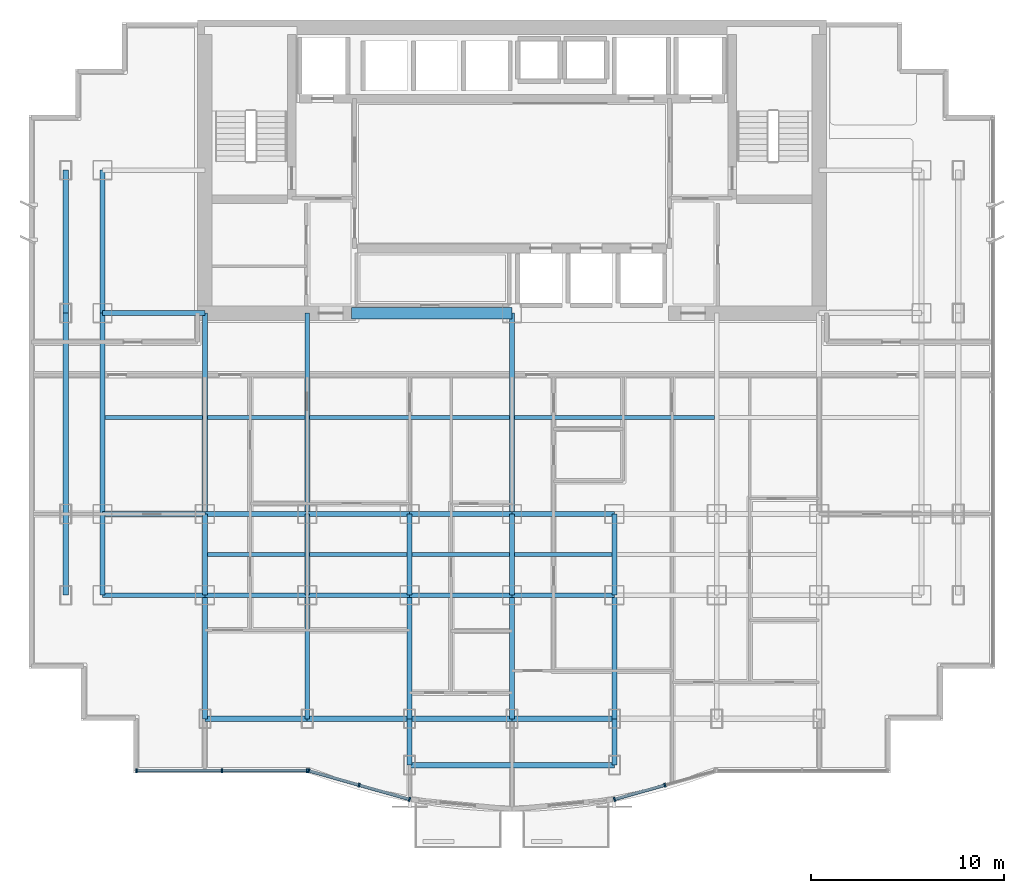
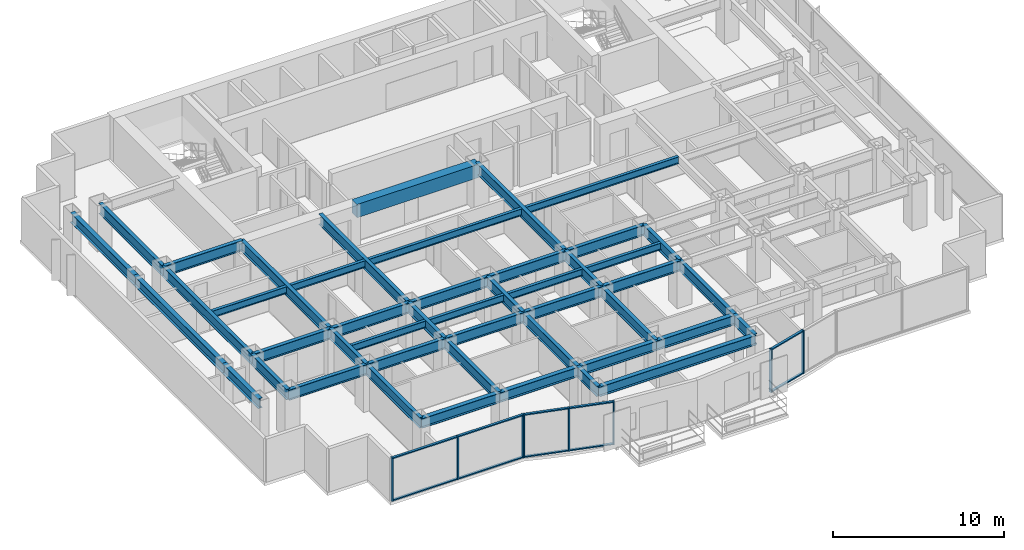
# One storey, part 2 of 12: 46 beams, 18 members, 3 elements without a shape of their own.
"""IFC4 building model written with IfcOpenShell, lengths in metres."""

from ifc_helpers import new_model, si_unit, direction, frame, origin, origin_2d, place, context, subcontext, project, spatial, rectangle, i_section, extrude, source, transform, mapped, material, layer, layer_set, material_profile, profile_set, type_object, element, aggregate, save


model = new_model("IFC4")

# Units and contexts
model_context = context("Model", 3, precision=1e-05, world=origin(), true_north=direction((0.0, 1.0)))
body_context = subcontext(model_context, "Body", "Model", "MODEL_VIEW")
ifc_project = project(units=[si_unit("LENGTHUNIT", "METRE"), si_unit("AREAUNIT", "SQUARE_METRE"), si_unit("VOLUMEUNIT", "CUBIC_METRE"), si_unit("PLANEANGLEUNIT", "RADIAN"), si_unit("MASSUNIT", "GRAM", prefix="KILO")], contexts=[model_context])

# Site, building, storey
site_placement = place(None, origin())
site = spatial("IfcSite", under=ifc_project, at=site_placement, CompositionType="ELEMENT")
building_placement = place(site_placement, origin())
building = spatial("IfcBuilding", under=site, at=building_placement, Name="Qianlan Lanfeng Residences", CompositionType="ELEMENT")
storey_placement = place(building_placement, frame((0.0, 0.0, 101.5)))
storey = spatial("IfcBuildingStorey", under=building, at=storey_placement, Name="L27", CompositionType="ELEMENT", Elevation=101.5)

# Beams
ifc_material_1 = material(Name="Steel SN490B", Category="steel")
ifc_material_profile_1 = material_profile(ifc_material_1, i_section(OverallWidth=0.25, OverallDepth=0.75, WebThickness=0.013916015625, FlangeThickness=0.02490234375, at=origin_2d()), Name="H 750x250x14x25")
ifc_profile_set_1 = profile_set([ifc_material_profile_1], Name="Steel SN490B")
beam_type_1 = type_object("IfcBeamType", Name="G-850", PredefinedType="BEAM", material=ifc_profile_set_1)
beam_1_placement = place(storey_placement, frame((5.300048828125, 10.60009765625, 2.715087890625), z_axis=(1.0, 0.0, 0.0), x_axis=(0.0, 1.0, 0.0)))
element("IfcBeam", 1, at=beam_1_placement, inside=storey, type_object=beam_type_1, Name="Structural beam G-850", PredefinedType="BEAM", context=body_context, shape_type="SweptSolid", body=[
    extrude(i_section(OverallWidth=0.25, OverallDepth=0.75, WebThickness=0.013916015625, FlangeThickness=0.02490234375, at=origin_2d()), origin(), (0.0, 0.0, 1.0), 5.300048828125),
])
beam_2_placement = place(storey_placement, frame((10.60009765625, 10.60009765625, 2.715087890625), z_axis=(1.0, 0.0, 0.0), x_axis=(0.0, 1.0, 0.0)))
element("IfcBeam", 2, at=beam_2_placement, inside=storey, type_object=beam_type_1, Name="Structural beam G-850", PredefinedType="BEAM", context=body_context, shape_type="SweptSolid", body=[
    extrude(i_section(OverallWidth=0.25, OverallDepth=0.75, WebThickness=0.013916015625, FlangeThickness=0.02490234375, at=origin_2d()), origin(), (0.0, 0.0, 1.0), 5.2998046875),
])
for number, where, z_axis, x_axis, name in (
    (3, (15.89990234375, 10.60009765625, 2.715087890625), (1.0, 0.0, 0.0), (0.0, 1.0, 0.0), "Structural beam G-850"),
    (4, (21.199951171875, 10.60009765625, 2.715087890625), (1.0, 0.0, 0.0), (0.0, 1.0, 0.0), "Structural beam G-850"),
    (5, (26.5, 10.60009765625, 2.715087890625), (1.0, 0.0, 0.0), (0.0, 1.0, 0.0), "Structural beam G-850"),
    (6, (5.300048828125, 14.800048828125, 2.715087890625), (1.0, 0.0, 0.0), (0.0, 1.0, 0.0), "Structural beam G-850"),
):
    element("IfcBeam", number, at=place(storey_placement, frame(where, z_axis=z_axis, x_axis=x_axis)), inside=storey, type_object=beam_type_1, Name=name, PredefinedType="BEAM", context=body_context, shape_type="SweptSolid", body=[
        extrude(i_section(OverallWidth=0.25, OverallDepth=0.75, WebThickness=0.013916015625, FlangeThickness=0.02490234375, at=origin_2d()), origin(), (0.0, 0.0, 1.0), 5.300048828125),
    ])
beam_3_placement = place(storey_placement, frame((10.60009765625, 14.800048828125, 2.715087890625), z_axis=(1.0, 0.0, 0.0), x_axis=(0.0, 1.0, 0.0)))
element("IfcBeam", 7, at=beam_3_placement, inside=storey, type_object=beam_type_1, Name="Structural beam G-850", PredefinedType="BEAM", context=body_context, shape_type="SweptSolid", body=[
    extrude(i_section(OverallWidth=0.25, OverallDepth=0.75, WebThickness=0.013916015625, FlangeThickness=0.02490234375, at=origin_2d()), origin(), (0.0, 0.0, 1.0), 5.2998046875),
])
for number, where, z_axis, x_axis, name in (
    (8, (15.89990234375, 14.800048828125, 2.715087890625), (1.0, 0.0, 0.0), (0.0, 1.0, 0.0), "Structural beam G-850"),
    (9, (21.199951171875, 14.800048828125, 2.715087890625), (1.0, 0.0, 0.0), (0.0, 1.0, 0.0), "Structural beam G-850"),
    (10, (26.5, 14.800048828125, 2.715087890625), (1.0, 0.0, 0.0), (0.0, 1.0, 0.0), "Structural beam G-850"),
    (11, (5.300048828125, 25.199951171875, 2.715087890625), (1.0, 0.0, 0.0), (0.0, 1.0, 0.0), "Structural beam G-850"),
):
    element("IfcBeam", number, at=place(storey_placement, frame(where, z_axis=z_axis, x_axis=x_axis)), inside=storey, type_object=beam_type_1, Name=name, PredefinedType="BEAM", context=body_context, shape_type="SweptSolid", body=[
        extrude(i_section(OverallWidth=0.25, OverallDepth=0.75, WebThickness=0.013916015625, FlangeThickness=0.02490234375, at=origin_2d()), origin(), (0.0, 0.0, 1.0), 5.300048828125),
    ])
beam_4_placement = place(storey_placement, frame((5.300048828125, 10.60009765625, 2.715087890625), z_axis=(0.0, 1.0, 0.0), x_axis=(-1.0, 0.0, 0.0)))
element("IfcBeam", 12, at=beam_4_placement, inside=storey, type_object=beam_type_1, Name="Structural beam G-850", PredefinedType="BEAM", context=body_context, shape_type="SweptSolid", body=[
    extrude(i_section(OverallWidth=0.25, OverallDepth=0.75, WebThickness=0.013916015625, FlangeThickness=0.02490234375, at=origin_2d()), origin(), (0.0, 0.0, 1.0), 4.199951171875),
])
beam_5_placement = place(storey_placement, frame((5.300048828125, 14.800048828125, 2.715087890625), z_axis=(0.0, 1.0, 0.0), x_axis=(-1.0, 0.0, 0.0)))
element("IfcBeam", 13, at=beam_5_placement, inside=storey, type_object=beam_type_1, Name="Structural beam G-850", PredefinedType="BEAM", context=body_context, shape_type="SweptSolid", body=[
    extrude(i_section(OverallWidth=0.25, OverallDepth=0.75, WebThickness=0.013916015625, FlangeThickness=0.02490234375, at=origin_2d()), origin(), (0.0, 0.0, 1.0), 10.39990234375),
])
beam_6_placement = place(storey_placement, frame((5.300048828125, 25.199951171875, 2.715087890625), z_axis=(0.0, 1.0, 0.0), x_axis=(-1.0, 0.0, 0.0)))
element("IfcBeam", 14, at=beam_6_placement, inside=storey, type_object=beam_type_1, Name="Structural beam G-850", PredefinedType="BEAM", context=body_context, shape_type="SweptSolid", body=[
    extrude(i_section(OverallWidth=0.25, OverallDepth=0.75, WebThickness=0.013916015625, FlangeThickness=0.02490234375, at=origin_2d()), origin(), (0.0, 0.0, 1.0), 7.400146484375),
])
beam_7_placement = place(storey_placement, frame((10.60009765625, 4.199951171875, 2.715087890625), z_axis=(0.0, 1.0, 0.0), x_axis=(-1.0, 0.0, 0.0)))
element("IfcBeam", 15, at=beam_7_placement, inside=storey, type_object=beam_type_1, Name="Structural beam G-850", PredefinedType="BEAM", context=body_context, shape_type="SweptSolid", body=[
    extrude(i_section(OverallWidth=0.25, OverallDepth=0.75, WebThickness=0.013916015625, FlangeThickness=0.02490234375, at=origin_2d()), origin(), (0.0, 0.0, 1.0), 6.400146484375),
])
beam_8_placement = place(storey_placement, frame((10.60009765625, 10.60009765625, 2.715087890625), z_axis=(0.0, 1.0, 0.0), x_axis=(-1.0, 0.0, 0.0)))
element("IfcBeam", 16, at=beam_8_placement, inside=storey, type_object=beam_type_1, Name="Structural beam G-850", PredefinedType="BEAM", context=body_context, shape_type="SweptSolid", body=[
    extrude(i_section(OverallWidth=0.25, OverallDepth=0.75, WebThickness=0.013916015625, FlangeThickness=0.02490234375, at=origin_2d()), origin(), (0.0, 0.0, 1.0), 4.199951171875),
])
beam_9_placement = place(storey_placement, frame((10.60009765625, 14.800048828125, 2.715087890625), z_axis=(0.0, 1.0, 0.0), x_axis=(-1.0, 0.0, 0.0)))
element("IfcBeam", 17, at=beam_9_placement, inside=storey, type_object=beam_type_1, Name="Structural beam G-850", PredefinedType="BEAM", context=body_context, shape_type="SweptSolid", body=[
    extrude(i_section(OverallWidth=0.25, OverallDepth=0.75, WebThickness=0.013916015625, FlangeThickness=0.02490234375, at=origin_2d()), origin(), (0.0, 0.0, 1.0), 10.39990234375),
])
beam_10_placement = place(storey_placement, frame((15.89990234375, 4.199951171875, 2.715087890625), z_axis=(0.0, 1.0, 0.0), x_axis=(-1.0, 0.0, 0.0)))
element("IfcBeam", 18, at=beam_10_placement, inside=storey, type_object=beam_type_1, Name="Structural beam G-850", PredefinedType="BEAM", context=body_context, shape_type="SweptSolid", body=[
    extrude(i_section(OverallWidth=0.25, OverallDepth=0.75, WebThickness=0.013916015625, FlangeThickness=0.02490234375, at=origin_2d()), origin(), (0.0, 0.0, 1.0), 6.400146484375),
])
beam_11_placement = place(storey_placement, frame((15.89990234375, 10.60009765625, 2.715087890625), z_axis=(0.0, 1.0, 0.0), x_axis=(-1.0, 0.0, 0.0)))
element("IfcBeam", 19, at=beam_11_placement, inside=storey, type_object=beam_type_1, Name="Structural beam G-850", PredefinedType="BEAM", context=body_context, shape_type="SweptSolid", body=[
    extrude(i_section(OverallWidth=0.25, OverallDepth=0.75, WebThickness=0.013916015625, FlangeThickness=0.02490234375, at=origin_2d()), origin(), (0.0, 0.0, 1.0), 4.199951171875),
])
beam_12_placement = place(storey_placement, frame((15.89990234375, 14.800048828125, 2.715087890625), z_axis=(0.0, 1.0, 0.0), x_axis=(-1.0, 0.0, 0.0)))
element("IfcBeam", 20, at=beam_12_placement, inside=storey, type_object=beam_type_1, Name="Structural beam G-850", PredefinedType="BEAM", context=body_context, shape_type="SweptSolid", body=[
    extrude(i_section(OverallWidth=0.25, OverallDepth=0.75, WebThickness=0.013916015625, FlangeThickness=0.02490234375, at=origin_2d()), origin(), (0.0, 0.0, 1.0), 10.39990234375),
])
beam_13_placement = place(storey_placement, frame((21.199951171875, 1.800048828125, 2.715087890625), z_axis=(0.0, 1.0, 0.0), x_axis=(-1.0, 0.0, 0.0)))
element("IfcBeam", 21, at=beam_13_placement, inside=storey, type_object=beam_type_1, Name="Structural beam G-850", PredefinedType="BEAM", context=body_context, shape_type="SweptSolid", body=[
    extrude(i_section(OverallWidth=0.25, OverallDepth=0.75, WebThickness=0.013916015625, FlangeThickness=0.02490234375, at=origin_2d()), origin(), (0.0, 0.0, 1.0), 2.39990234375),
])
beam_14_placement = place(storey_placement, frame((21.199951171875, 4.199951171875, 2.715087890625), z_axis=(0.0, 1.0, 0.0), x_axis=(-1.0, 0.0, 0.0)))
element("IfcBeam", 22, at=beam_14_placement, inside=storey, type_object=beam_type_1, Name="Structural beam G-850", PredefinedType="BEAM", context=body_context, shape_type="SweptSolid", body=[
    extrude(i_section(OverallWidth=0.25, OverallDepth=0.75, WebThickness=0.013916015625, FlangeThickness=0.02490234375, at=origin_2d()), origin(), (0.0, 0.0, 1.0), 6.400146484375),
])
beam_15_placement = place(storey_placement, frame((21.199951171875, 10.60009765625, 2.715087890625), z_axis=(0.0, 1.0, 0.0), x_axis=(-1.0, 0.0, 0.0)))
element("IfcBeam", 23, at=beam_15_placement, inside=storey, type_object=beam_type_1, Name="Structural beam G-850", PredefinedType="BEAM", context=body_context, shape_type="SweptSolid", body=[
    extrude(i_section(OverallWidth=0.25, OverallDepth=0.75, WebThickness=0.013916015625, FlangeThickness=0.02490234375, at=origin_2d()), origin(), (0.0, 0.0, 1.0), 4.199951171875),
])
beam_16_placement = place(storey_placement, frame((26.5, 4.199951171875, 2.715087890625), z_axis=(0.0, 1.0, 0.0), x_axis=(-1.0, 0.0, 0.0)))
element("IfcBeam", 24, at=beam_16_placement, inside=storey, type_object=beam_type_1, Name="Structural beam G-850", PredefinedType="BEAM", context=body_context, shape_type="SweptSolid", body=[
    extrude(i_section(OverallWidth=0.25, OverallDepth=0.75, WebThickness=0.013916015625, FlangeThickness=0.02490234375, at=origin_2d()), origin(), (0.0, 0.0, 1.0), 6.400146484375),
])
beam_17_placement = place(storey_placement, frame((26.5, 10.60009765625, 2.715087890625), z_axis=(0.0, 1.0, 0.0), x_axis=(-1.0, 0.0, 0.0)))
element("IfcBeam", 25, at=beam_17_placement, inside=storey, type_object=beam_type_1, Name="Structural beam G-850", PredefinedType="BEAM", context=body_context, shape_type="SweptSolid", body=[
    extrude(i_section(OverallWidth=0.25, OverallDepth=0.75, WebThickness=0.013916015625, FlangeThickness=0.02490234375, at=origin_2d()), origin(), (0.0, 0.0, 1.0), 4.199951171875),
])
beam_18_placement = place(storey_placement, frame((26.5, 14.800048828125, 2.715087890625), z_axis=(0.0, 1.0, 0.0), x_axis=(-1.0, 0.0, 0.0)))
element("IfcBeam", 26, at=beam_18_placement, inside=storey, type_object=beam_type_1, Name="Structural beam G-850", PredefinedType="BEAM", context=body_context, shape_type="SweptSolid", body=[
    extrude(i_section(OverallWidth=0.25, OverallDepth=0.75, WebThickness=0.013916015625, FlangeThickness=0.02490234375, at=origin_2d()), origin(), (0.0, 0.0, 1.0), 10.39990234375),
])
beam_19_placement = place(storey_placement, frame((31.800048828125, 1.800048828125, 2.715087890625), z_axis=(0.0, 1.0, 0.0), x_axis=(-1.0, 0.0, 0.0)))
element("IfcBeam", 27, at=beam_19_placement, inside=storey, type_object=beam_type_1, Name="Structural beam G-850", PredefinedType="BEAM", context=body_context, shape_type="SweptSolid", body=[
    extrude(i_section(OverallWidth=0.25, OverallDepth=0.75, WebThickness=0.013916015625, FlangeThickness=0.02490234375, at=origin_2d()), origin(), (0.0, 0.0, 1.0), 2.39990234375),
])
beam_20_placement = place(storey_placement, frame((31.800048828125, 4.199951171875, 2.715087890625), z_axis=(0.0, 1.0, 0.0), x_axis=(-1.0, 0.0, 0.0)))
element("IfcBeam", 28, at=beam_20_placement, inside=storey, type_object=beam_type_1, Name="Structural beam G-850", PredefinedType="BEAM", context=body_context, shape_type="SweptSolid", body=[
    extrude(i_section(OverallWidth=0.25, OverallDepth=0.75, WebThickness=0.013916015625, FlangeThickness=0.02490234375, at=origin_2d()), origin(), (0.0, 0.0, 1.0), 6.400146484375),
])
beam_21_placement = place(storey_placement, frame((31.800048828125, 10.60009765625, 2.715087890625), z_axis=(0.0, 1.0, 0.0), x_axis=(-1.0, 0.0, 0.0)))
element("IfcBeam", 29, at=beam_21_placement, inside=storey, type_object=beam_type_1, Name="Structural beam G-850", PredefinedType="BEAM", context=body_context, shape_type="SweptSolid", body=[
    extrude(i_section(OverallWidth=0.25, OverallDepth=0.75, WebThickness=0.013916015625, FlangeThickness=0.02490234375, at=origin_2d()), origin(), (0.0, 0.0, 1.0), 4.199951171875),
])
ifc_material_profile_2 = material_profile(ifc_material_1, i_section(OverallWidth=0.199951171875, OverallDepth=0.5, WebThickness=0.010009765625, FlangeThickness=0.01611328125, at=origin_2d()), Name="H 500x200x10x16")
ifc_profile_set_2 = profile_set([ifc_material_profile_2], Name="Steel SN490B")
beam_type_2 = type_object("IfcBeamType", Name="J-500", PredefinedType="JOIST", material=ifc_profile_set_2)
beam_22_placement = place(storey_placement, frame((10.72509765625, 12.699951171875, 2.840087890625), z_axis=(1.0, 0.0, 0.0), x_axis=(0.0, 1.0, 0.0)))
element("IfcBeam", 30, at=beam_22_placement, inside=storey, type_object=beam_type_2, Name="Structural beam J-500", PredefinedType="JOIST", context=body_context, shape_type="SweptSolid", body=[
    extrude(i_section(OverallWidth=0.199951171875, OverallDepth=0.5, WebThickness=0.010009765625, FlangeThickness=0.01611328125, at=origin_2d()), origin(), (0.0, 0.0, 1.0), 5.0498046875),
])
for number, where, z_axis, x_axis, name in (
    (31, (16.02490234375, 12.699951171875, 2.840087890625), (1.0, 0.0, 0.0), (0.0, 1.0, 0.0), "Structural beam J-500"),
    (32, (21.324951171875, 12.699951171875, 2.840087890625), (1.0, 0.0, 0.0), (0.0, 1.0, 0.0), "Structural beam J-500"),
    (33, (26.625, 12.699951171875, 2.840087890625), (1.0, 0.0, 0.0), (0.0, 1.0, 0.0), "Structural beam J-500"),
    (34, (5.425048828125, 19.800048828125, 2.840087890625), (1.0, 0.0, 0.0), (0.0, 1.0, 0.0), "Structural beam J-500"),
):
    element("IfcBeam", number, at=place(storey_placement, frame(where, z_axis=z_axis, x_axis=x_axis)), inside=storey, type_object=beam_type_2, Name=name, PredefinedType="JOIST", context=body_context, shape_type="SweptSolid", body=[
        extrude(i_section(OverallWidth=0.199951171875, OverallDepth=0.5, WebThickness=0.010009765625, FlangeThickness=0.01611328125, at=origin_2d()), origin(), (0.0, 0.0, 1.0), 5.050048828125),
    ])
beam_23_placement = place(storey_placement, frame((10.72509765625, 19.800048828125, 2.840087890625), z_axis=(1.0, 0.0, 0.0), x_axis=(0.0, 1.0, 0.0)))
element("IfcBeam", 35, at=beam_23_placement, inside=storey, type_object=beam_type_2, Name="Structural beam J-500", PredefinedType="JOIST", context=body_context, shape_type="SweptSolid", body=[
    extrude(i_section(OverallWidth=0.199951171875, OverallDepth=0.5, WebThickness=0.010009765625, FlangeThickness=0.01611328125, at=origin_2d()), origin(), (0.0, 0.0, 1.0), 5.0498046875),
])
for number, where, z_axis, x_axis, name in (
    (36, (16.02490234375, 19.800048828125, 2.840087890625), (1.0, 0.0, 0.0), (0.0, 1.0, 0.0), "Structural beam J-500"),
    (37, (26.625, 19.800048828125, 2.840087890625), (1.0, 0.0, 0.0), (0.0, 1.0, 0.0), "Structural beam J-500"),
):
    element("IfcBeam", number, at=place(storey_placement, frame(where, z_axis=z_axis, x_axis=x_axis)), inside=storey, type_object=beam_type_2, Name=name, PredefinedType="JOIST", context=body_context, shape_type="SweptSolid", body=[
        extrude(i_section(OverallWidth=0.199951171875, OverallDepth=0.5, WebThickness=0.010009765625, FlangeThickness=0.01611328125, at=origin_2d()), origin(), (0.0, 0.0, 1.0), 10.35009765625),
    ])
ifc_material_2 = material(Name="Concrete C60", Category="concrete")
ifc_material_profile_3 = material_profile(ifc_material_2, rectangle(XDim=0.60009765625, YDim=0.949951171875, at=origin_2d()), Name="RC 600x950")
ifc_profile_set_3 = profile_set([ifc_material_profile_3], Name="Concrete C60")
beam_type_3 = type_object("IfcBeamType", Name="LB-RC900", PredefinedType="BEAM", material=ifc_profile_set_3)
beam_24_placement = place(storey_placement, frame((18.199951171875, 25.199951171875, 2.614990234375), z_axis=(1.0, 0.0, 0.0), x_axis=(0.0, 1.0, 0.0)))
element("IfcBeam", 38, at=beam_24_placement, inside=storey, type_object=beam_type_3, Name="L27 Core Coupling Beam W", PredefinedType="BEAM", context=body_context, shape_type="SweptSolid", body=[
    extrude(rectangle(XDim=0.60009765625, YDim=0.949951171875, at=origin_2d()), origin(), (0.0, 0.0, 1.0), 8.300048828125),
])
ifc_material_profile_4 = material_profile(ifc_material_1, i_section(OverallWidth=0.300048828125, OverallDepth=0.699951171875, WebThickness=0.012939453125, FlangeThickness=0.02392578125, at=origin_2d()), Name="H 700x300x13x24")
ifc_profile_set_4 = profile_set([ifc_material_profile_4], Name="Steel SN490B")
beam_type_4 = type_object("IfcBeamType", Name="SG-750", PredefinedType="SPANDREL", material=ifc_profile_set_4)
beam_25_placement = place(storey_placement, frame((21.199951171875, 1.800048828125, 2.739990234375), z_axis=(1.0, 0.0, 0.0), x_axis=(0.0, 1.0, 0.0)))
element("IfcBeam", 39, at=beam_25_placement, inside=storey, type_object=beam_type_4, Name="Structural beam SG-750", PredefinedType="SPANDREL", context=body_context, shape_type="SweptSolid", body=[
    extrude(i_section(OverallWidth=0.300048828125, OverallDepth=0.699951171875, WebThickness=0.012939453125, FlangeThickness=0.02392578125, at=origin_2d()), origin(), (0.0, 0.0, 1.0), 10.60009765625),
])
beam_26_placement = place(storey_placement, frame((10.60009765625, 4.199951171875, 2.739990234375), z_axis=(1.0, 0.0, 0.0), x_axis=(0.0, 1.0, 0.0)))
element("IfcBeam", 40, at=beam_26_placement, inside=storey, type_object=beam_type_4, Name="Structural beam SG-750", PredefinedType="SPANDREL", context=body_context, shape_type="SweptSolid", body=[
    extrude(i_section(OverallWidth=0.300048828125, OverallDepth=0.699951171875, WebThickness=0.012939453125, FlangeThickness=0.02392578125, at=origin_2d()), origin(), (0.0, 0.0, 1.0), 5.2998046875),
])
for number, where, z_axis, x_axis, name in (
    (41, (15.89990234375, 4.199951171875, 2.739990234375), (1.0, 0.0, 0.0), (0.0, 1.0, 0.0), "Structural beam SG-750"),
    (42, (21.199951171875, 4.199951171875, 2.739990234375), (1.0, 0.0, 0.0), (0.0, 1.0, 0.0), "Structural beam SG-750"),
    (43, (26.5, 4.199951171875, 2.739990234375), (1.0, 0.0, 0.0), (0.0, 1.0, 0.0), "Structural beam SG-750"),
):
    element("IfcBeam", number, at=place(storey_placement, frame(where, z_axis=z_axis, x_axis=x_axis)), inside=storey, type_object=beam_type_4, Name=name, PredefinedType="SPANDREL", context=body_context, shape_type="SweptSolid", body=[
        extrude(i_section(OverallWidth=0.300048828125, OverallDepth=0.699951171875, WebThickness=0.012939453125, FlangeThickness=0.02392578125, at=origin_2d()), origin(), (0.0, 0.0, 1.0), 5.300048828125),
    ])
beam_27_placement = place(storey_placement, frame((3.39990234375, 10.60009765625, 2.739990234375), z_axis=(0.0, 1.0, 0.0), x_axis=(-1.0, 0.0, 0.0)))
element("IfcBeam", 44, at=beam_27_placement, inside=storey, type_object=beam_type_4, Name="Structural beam SG-750", PredefinedType="SPANDREL", context=body_context, shape_type="SweptSolid", body=[
    extrude(i_section(OverallWidth=0.300048828125, OverallDepth=0.699951171875, WebThickness=0.012939453125, FlangeThickness=0.02392578125, at=origin_2d()), origin(), (0.0, 0.0, 1.0), 4.199951171875),
])
beam_28_placement = place(storey_placement, frame((3.39990234375, 14.800048828125, 2.739990234375), z_axis=(0.0, 1.0, 0.0), x_axis=(-1.0, 0.0, 0.0)))
element("IfcBeam", 45, at=beam_28_placement, inside=storey, type_object=beam_type_4, Name="Structural beam SG-750", PredefinedType="SPANDREL", context=body_context, shape_type="SweptSolid", body=[
    extrude(i_section(OverallWidth=0.300048828125, OverallDepth=0.699951171875, WebThickness=0.012939453125, FlangeThickness=0.02392578125, at=origin_2d()), origin(), (0.0, 0.0, 1.0), 10.39990234375),
])
beam_29_placement = place(storey_placement, frame((3.39990234375, 25.199951171875, 2.739990234375), z_axis=(0.0, 1.0, 0.0), x_axis=(-1.0, 0.0, 0.0)))
element("IfcBeam", 46, at=beam_29_placement, inside=storey, type_object=beam_type_4, Name="Structural beam SG-750", PredefinedType="SPANDREL", context=body_context, shape_type="SweptSolid", body=[
    extrude(i_section(OverallWidth=0.300048828125, OverallDepth=0.699951171875, WebThickness=0.012939453125, FlangeThickness=0.02392578125, at=origin_2d()), origin(), (0.0, 0.0, 1.0), 7.400146484375),
])

# Curtain wall, members
ifc_material_3 = material(Name="Anodised Bronze Aluminium 6063-T6", Category="aluminium")
ifc_layer = layer(ifc_material_3, 0.219970703125)
ifc_layer_set = layer_set([ifc_layer], Name="Anodised Bronze Aluminium 6063-T6")
curtain_wall_type = type_object("IfcCurtainWallType", Name="CW-03", PredefinedType="NOTDEFINED", material=ifc_layer_set)
curtain_wall_1_placement = place(storey_placement, origin())
curtain_wall_1 = element("IfcCurtainWall", 47, at=curtain_wall_1_placement, inside=storey, type_object=curtain_wall_type, Name="L27 Unitised Curtain Wall CWR-L27-01 (CW-03)", PredefinedType="NOTDEFINED")
ifc_material_profile_5 = material_profile(ifc_material_3, rectangle(XDim=0.080078125, YDim=0.159912109375, at=origin_2d()), Name="ALU TRANSOM 80x160")
ifc_profile_set_5 = profile_set([ifc_material_profile_5], Name="Anodised Bronze Aluminium 6063-T6")
member_type_1 = type_object("IfcMemberType", Name="CWT-180", PredefinedType="USERDEFINED", material=ifc_profile_set_5)
shared_shape_1 = source(origin(), body_context, "Body", "SweptSolid", [
    extrude(rectangle(XDim=0.080078125, YDim=0.159912109375, at=origin_2d()), origin(), (0.0, 0.0, 1.0), 4.34033203125),
])
member_1_placement = place(storey_placement, frame((7.10009765625, 1.52001953125, 0.0400390625), z_axis=(1.0, 0.0, 0.0), x_axis=(0.0, 0.0, 1.0)))
member_1 = element("IfcMember", 48, at=member_1_placement, type_object=member_type_1, Name="CWR-L27-01 Transom 1-BOT", ObjectType="TRANSOM", PredefinedType="USERDEFINED", context=body_context, shape_type="MappedRepresentation", body=[
    mapped(shared_shape_1, transform((0.0, 0.0, 0.0), scale=1.0)),
])
member_2_placement = place(storey_placement, frame((7.10009765625, 1.52001953125, 3.050048828125), z_axis=(1.0, 0.0, 0.0), x_axis=(0.0, 0.0, 1.0)))
member_2 = element("IfcMember", 49, at=member_2_placement, type_object=member_type_1, Name="CWR-L27-01 Transom 1-TOP", ObjectType="TRANSOM", PredefinedType="USERDEFINED", context=body_context, shape_type="MappedRepresentation", body=[
    mapped(shared_shape_1, transform((0.0, 0.0, 0.0), scale=1.0)),
])
shared_shape_2 = source(origin(), body_context, "Body", "SweptSolid", [
    extrude(rectangle(XDim=0.080078125, YDim=0.159912109375, at=origin_2d()), origin(), (0.0, 0.0, 1.0), 4.340576171875),
])
member_3_placement = place(storey_placement, frame((11.5205078125, 1.52001953125, 0.0400390625), z_axis=(1.0, 0.0, 0.0), x_axis=(0.0, 0.0, 1.0)))
member_3 = element("IfcMember", 50, at=member_3_placement, type_object=member_type_1, Name="CWR-L27-01 Transom 2-BOT", ObjectType="TRANSOM", PredefinedType="USERDEFINED", context=body_context, shape_type="MappedRepresentation", body=[
    mapped(shared_shape_2, transform((0.0, 0.0, 0.0), scale=1.0)),
])
member_4_placement = place(storey_placement, frame((11.5205078125, 1.52001953125, 3.050048828125), z_axis=(1.0, 0.0, 0.0), x_axis=(0.0, 0.0, 1.0)))
member_4 = element("IfcMember", 51, at=member_4_placement, type_object=member_type_1, Name="CWR-L27-01 Transom 2-TOP", ObjectType="TRANSOM", PredefinedType="USERDEFINED", context=body_context, shape_type="MappedRepresentation", body=[
    mapped(shared_shape_2, transform((0.0, 0.0, 0.0), scale=1.0)),
])

curtain_wall_2_placement = place(storey_placement, origin())
curtain_wall_2 = element("IfcCurtainWall", 52, at=curtain_wall_2_placement, inside=storey, type_object=curtain_wall_type, Name="L27 Unitised Curtain Wall CWR-L27-02 (CW-03)", PredefinedType="NOTDEFINED")
shared_shape_3 = source(origin(), body_context, "Body", "SweptSolid", [
    extrude(rectangle(XDim=0.080078125, YDim=0.159912109375, at=origin_2d()), origin(), (0.0, 0.0, 1.0), 2.630126953125),
])
member_5_placement = place(storey_placement, frame((16.01806640625, 1.498291015625, 0.0400390625), z_axis=(0.961960587005, -0.273188266675, 0.0), x_axis=(0.0, 0.0, 1.0)))
member_5 = element("IfcMember", 53, at=member_5_placement, type_object=member_type_1, Name="CWR-L27-02 Transom 1-BOT", ObjectType="TRANSOM", PredefinedType="USERDEFINED", context=body_context, shape_type="MappedRepresentation", body=[
    mapped(shared_shape_3, transform((0.0, 0.0, 0.0), scale=1.0)),
])
member_6_placement = place(storey_placement, frame((16.01806640625, 1.498291015625, 3.050048828125), z_axis=(0.961960587005, -0.273188266675, 0.0), x_axis=(0.0, 0.0, 1.0)))
member_6 = element("IfcMember", 54, at=member_6_placement, type_object=member_type_1, Name="CWR-L27-02 Transom 1-TOP", ObjectType="TRANSOM", PredefinedType="USERDEFINED", context=body_context, shape_type="MappedRepresentation", body=[
    mapped(shared_shape_3, transform((0.0, 0.0, 0.0), scale=1.0)),
])
member_7_placement = place(storey_placement, frame((18.625, 0.758056640625, 0.0400390625), z_axis=(0.961984978242, -0.273102364758, 0.0), x_axis=(0.0, 0.0, 1.0)))
member_7 = element("IfcMember", 55, at=member_7_placement, type_object=member_type_1, Name="CWR-L27-02 Transom 2-BOT", ObjectType="TRANSOM", PredefinedType="USERDEFINED", context=body_context, shape_type="MappedRepresentation", body=[
    mapped(shared_shape_3, transform((0.0, 0.0, 0.0), scale=1.0)),
])
member_8_placement = place(storey_placement, frame((18.625, 0.758056640625, 3.050048828125), z_axis=(0.961984978242, -0.273102364758, 0.0), x_axis=(0.0, 0.0, 1.0)))
member_8 = element("IfcMember", 56, at=member_8_placement, type_object=member_type_1, Name="CWR-L27-02 Transom 2-TOP", ObjectType="TRANSOM", PredefinedType="USERDEFINED", context=body_context, shape_type="MappedRepresentation", body=[
    mapped(shared_shape_3, transform((0.0, 0.0, 0.0), scale=1.0)),
])

curtain_wall_3_placement = place(storey_placement, origin())
curtain_wall_3 = element("IfcCurtainWall", 57, at=curtain_wall_3_placement, inside=storey, type_object=curtain_wall_type, Name="L27 Unitised Curtain Wall CWR-L27-03 (CW-03)", PredefinedType="NOTDEFINED")
member_9_placement = place(storey_placement, frame((31.844970703125, 0.039794921875, 0.0400390625), z_axis=(0.961984978242, 0.273102364758, 0.0), x_axis=(0.0, 0.0, 1.0)))
member_9 = element("IfcMember", 58, at=member_9_placement, type_object=member_type_1, Name="CWR-L27-03 Transom 1-BOT", ObjectType="TRANSOM", PredefinedType="USERDEFINED", context=body_context, shape_type="MappedRepresentation", body=[
    mapped(shared_shape_3, transform((0.0, 0.0, 0.0), scale=1.0)),
])
member_10_placement = place(storey_placement, frame((31.844970703125, 0.039794921875, 3.050048828125), z_axis=(0.961984978242, 0.273102364758, 0.0), x_axis=(0.0, 0.0, 1.0)))
member_10 = element("IfcMember", 59, at=member_10_placement, type_object=member_type_1, Name="CWR-L27-03 Transom 1-TOP", ObjectType="TRANSOM", PredefinedType="USERDEFINED", context=body_context, shape_type="MappedRepresentation", body=[
    mapped(shared_shape_3, transform((0.0, 0.0, 0.0), scale=1.0)),
])

# Member
ifc_material_profile_6 = material_profile(ifc_material_3, rectangle(XDim=0.080078125, YDim=0.2099609375, at=origin_2d()), Name="ALU MULLION 80x210")
ifc_profile_set_6 = profile_set([ifc_material_profile_6], Name="Anodised Bronze Aluminium 6063-T6")
member_type_2 = type_object("IfcMemberType", Name="CWM-220", PredefinedType="MULLION", material=ifc_profile_set_6)
shared_shape_4 = source(origin(), body_context, "Body", "SweptSolid", [
    extrude(rectangle(XDim=0.080078125, YDim=0.2099609375, at=origin_2d()), origin(), (0.0, 0.0, 1.0), 3.090087890625),
])
member_11_placement = place(storey_placement, frame((7.06005859375, 1.52001953125, 0.0), z_axis=(0.0, 0.0, 1.0), x_axis=(1.0, 0.0, 0.0)))
member_11 = element("IfcMember", 60, at=member_11_placement, type_object=member_type_2, Name="CWR-L27-01 Mullion 1", PredefinedType="MULLION", context=body_context, shape_type="MappedRepresentation", body=[
    mapped(shared_shape_4, transform((0.0, 0.0, 0.0), scale=1.0)),
])

member_12_placement = place(storey_placement, frame((11.48046875, 1.52001953125, 0.0), z_axis=(0.0, 0.0, 1.0), x_axis=(1.0, 0.0, 0.0)))
member_12 = element("IfcMember", 61, at=member_12_placement, type_object=member_type_2, Name="CWR-L27-01 Mullion 2", PredefinedType="MULLION", context=body_context, shape_type="MappedRepresentation", body=[
    mapped(shared_shape_4, transform((0.0, 0.0, 0.0), scale=1.0)),
])

member_13_placement = place(storey_placement, frame((15.90087890625, 1.52001953125, 0.0), z_axis=(0.0, 0.0, 1.0), x_axis=(1.0, 0.0, 0.0)))
member_13 = element("IfcMember", 62, at=member_13_placement, type_object=member_type_2, Name="CWR-L27-01 Mullion 3", PredefinedType="MULLION", context=body_context, shape_type="MappedRepresentation", body=[
    mapped(shared_shape_4, transform((0.0, 0.0, 0.0), scale=1.0)),
])

aggregate(curtain_wall_1, [member_11, member_12, member_13, member_1, member_2, member_3, member_4])

member_14_placement = place(storey_placement, frame((15.9794921875, 1.509033203125, 0.0), z_axis=(0.0, 0.0, 1.0), x_axis=(0.961989074302, -0.273087936247, 0.0)))
member_14 = element("IfcMember", 63, at=member_14_placement, type_object=member_type_2, Name="CWR-L27-02 Mullion 1", PredefinedType="MULLION", context=body_context, shape_type="MappedRepresentation", body=[
    mapped(shared_shape_4, transform((0.0, 0.0, 0.0), scale=1.0)),
])

member_15_placement = place(storey_placement, frame((18.58642578125, 0.76904296875, 0.0), z_axis=(0.0, 0.0, 1.0), x_axis=(0.961989074302, -0.273087936247, 0.0)))
member_15 = element("IfcMember", 64, at=member_15_placement, type_object=member_type_2, Name="CWR-L27-02 Mullion 2", PredefinedType="MULLION", context=body_context, shape_type="MappedRepresentation", body=[
    mapped(shared_shape_4, transform((0.0, 0.0, 0.0), scale=1.0)),
])

member_16_placement = place(storey_placement, frame((21.193603515625, 0.02880859375, 0.0), z_axis=(0.0, 0.0, 1.0), x_axis=(0.961989074302, -0.273087936247, 0.0)))
member_16 = element("IfcMember", 65, at=member_16_placement, type_object=member_type_2, Name="CWR-L27-02 Mullion 3", PredefinedType="MULLION", context=body_context, shape_type="MappedRepresentation", body=[
    mapped(shared_shape_4, transform((0.0, 0.0, 0.0), scale=1.0)),
])

aggregate(curtain_wall_2, [member_14, member_15, member_16, member_5, member_6, member_7, member_8])

member_17_placement = place(storey_placement, frame((31.806396484375, 0.02880859375, 0.0), z_axis=(0.0, 0.0, 1.0), x_axis=(0.961989074302, 0.273087936247, 0.0)))
member_17 = element("IfcMember", 66, at=member_17_placement, type_object=member_type_2, Name="CWR-L27-03 Mullion 1", PredefinedType="MULLION", context=body_context, shape_type="MappedRepresentation", body=[
    mapped(shared_shape_4, transform((0.0, 0.0, 0.0), scale=1.0)),
])

member_18_placement = place(storey_placement, frame((34.41357421875, 0.76904296875, 0.0), z_axis=(0.0, 0.0, 1.0), x_axis=(0.961989074302, 0.273087936247, 0.0)))
member_18 = element("IfcMember", 67, at=member_18_placement, type_object=member_type_2, Name="CWR-L27-03 Mullion 2", PredefinedType="MULLION", context=body_context, shape_type="MappedRepresentation", body=[
    mapped(shared_shape_4, transform((0.0, 0.0, 0.0), scale=1.0)),
])

aggregate(curtain_wall_3, [member_17, member_18, member_9, member_10])

save(model, "model.ifc")
